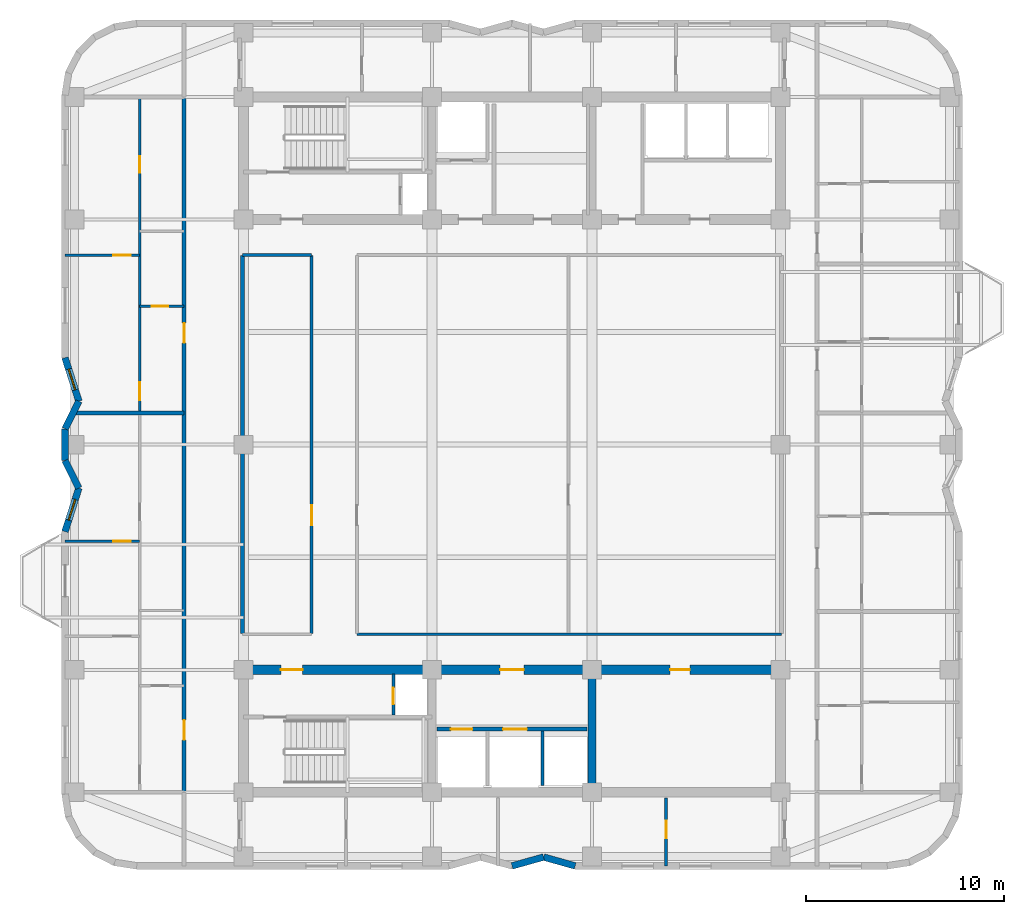
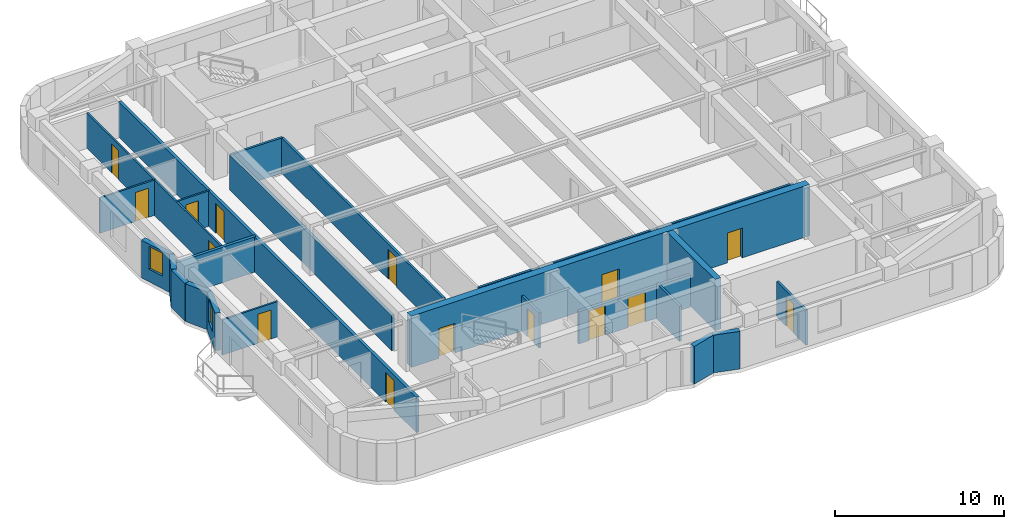
# One storey, part 3 of 9: 23 walls, 15 doors, 2 windows, 17 openings.
"""IFC4 building model written with IfcOpenShell, lengths in metres."""

import ifcopenshell
import ifcopenshell.guid

model = None  # the IFC model being written
_history = None  # IfcOwnerHistory: only IFC2X3 demands one
_inside = {}  # id of a spatial element -> (the spatial element, [elements in it])
_under = {}  # id of a project, library or spatial element -> (it, [spatial elements below it])
_declared = {}  # id of a project -> (the project, [libraries it declares])
_typed = {}  # id of a type object -> (the type object, [elements of that type])
_made_of = {}  # id of a material, layer set ... -> (it, [elements and type objects made of it])


def new_model(schema):
    """Start an empty IFC model of exactly this schema.

    Asked for "IFC4X3", IfcOpenShell would pick the latest addendum, in which some entities
    have other attributes; the version numbers below select the first issue.
    IFC2X3 requires an IfcOwnerHistory on every rooted entity: one is made here for all.
    """
    global model, _history
    if schema == "IFC4X3":
        model = ifcopenshell.file(schema_version=(4, 3, 0, 0))
    else:
        model = ifcopenshell.file(schema=schema)
    _inside.clear()
    _under.clear()
    _declared.clear()
    _typed.clear()
    _made_of.clear()
    _history = None
    if model.schema == "IFC2X3":
        org = make("IfcOrganization", Name="unknown")
        user = make(
            "IfcPersonAndOrganization",
            ThePerson=make("IfcPerson", FamilyName="unknown"),
            TheOrganization=org,
        )
        app = make(
            "IfcApplication",
            ApplicationDeveloper=org,
            Version="unknown",
            ApplicationFullName="unknown",
            ApplicationIdentifier="unknown",
        )
        _history = make(
            "IfcOwnerHistory",
            OwningUser=user,
            OwningApplication=app,
            ChangeAction="ADDED",
            CreationDate=0,
        )
    return model


def make(cls, **values):
    """One entity of the class cls with the attributes given. An attribute that is None is left unset."""
    return model.create_entity(
        cls, **{name: value for name, value in values.items() if value is not None}
    )


def rooted(cls, **values):
    """An entity with a GlobalId (a new one), such as an element, a storey or a relation."""
    return make(cls, GlobalId=ifcopenshell.guid.new(), OwnerHistory=_history, **values)


def si_unit(unit_type, name, prefix=None):
    """IfcSIUnit, for example si_unit("LENGTHUNIT", "METRE", prefix="MILLI")."""
    return make("IfcSIUnit", UnitType=unit_type, Prefix=prefix, Name=name)


def assignment(units):
    """IfcUnitAssignment: the units of a project."""
    return None if units is None else make("IfcUnitAssignment", Units=units)


def point(xyz):
    """IfcCartesianPoint."""
    return None if xyz is None else make("IfcCartesianPoint", Coordinates=xyz)


def direction(xyz):
    """IfcDirection."""
    return None if xyz is None else make("IfcDirection", DirectionRatios=xyz)


def frame(location, z_axis=None, x_axis=None):
    """IfcAxis2Placement3D, a coordinate frame: its origin and axes. An axis left out is left unset."""
    return make(
        "IfcAxis2Placement3D",
        Location=point(location),
        Axis=direction(z_axis),
        RefDirection=direction(x_axis),
    )


def frame_2d(location, x_axis=None):
    """IfcAxis2Placement2D, a coordinate frame in the plane: its origin and x axis."""
    return make(
        "IfcAxis2Placement2D", Location=point(location), RefDirection=direction(x_axis)
    )


def origin():
    """The frame at (0, 0, 0) with its axes left unset."""
    return frame((0.0, 0.0, 0.0))


def place(relative_to, where):
    """IfcLocalPlacement: puts the frame where relative to a parent placement (None: the world)."""
    return make(
        "IfcLocalPlacement", PlacementRelTo=relative_to, RelativePlacement=where
    )


def context(
    kind, dimensions, precision=None, world=None, true_north=None, identifier=None
):
    """IfcGeometricRepresentationContext, for example the 3D "Model" context."""
    return make(
        "IfcGeometricRepresentationContext",
        ContextIdentifier=identifier,
        ContextType=kind,
        CoordinateSpaceDimension=dimensions,
        Precision=precision,
        WorldCoordinateSystem=world,
        TrueNorth=true_north,
    )


def subcontext(parent, identifier, kind, view, scale=None):
    """IfcGeometricRepresentationSubContext, for example "Body" below "Model"."""
    return make(
        "IfcGeometricRepresentationSubContext",
        ContextIdentifier=identifier,
        ContextType=kind,
        ParentContext=parent,
        TargetScale=scale,
        TargetView=view,
    )


def project(units=None, contexts=None):
    """IfcProject with its units and contexts."""
    return rooted(
        "IfcProject",
        Name="project",
        RepresentationContexts=contexts,
        UnitsInContext=assignment(units),
    )


def spatial(cls, under=None, at=None, **own):
    """A site, building, storey or space (cls), placed at a placement, below another one or the project."""
    s = rooted(cls, ObjectPlacement=at, **own)
    if under is not None:
        _under.setdefault(under.id(), (under, []))[1].append(s)
    return s


def profile(cls, at=None, kind="AREA", **sizes):
    """A parametric profile (cls). Its sizes go by their IFC names, for example OverallWidth=200.0."""
    return make(cls, ProfileType=kind, Position=at, **sizes)


def rectangle(**sizes):
    """IfcRectangleProfileDef."""
    return profile("IfcRectangleProfileDef", **sizes)


def extrude(swept, where, along, depth):
    """IfcExtrudedAreaSolid: the profile swept, set in the frame where, extruded along a direction by depth."""
    return make(
        "IfcExtrudedAreaSolid",
        SweptArea=swept,
        Position=where,
        ExtrudedDirection=direction(along),
        Depth=depth,
    )


def shape(context_of_items, identifier, shape_type, items):
    """IfcShapeRepresentation: the items that make up one representation, for example the "Body"."""
    return make(
        "IfcShapeRepresentation",
        ContextOfItems=context_of_items,
        RepresentationIdentifier=identifier,
        RepresentationType=shape_type,
        Items=items,
    )


def material(Name=None, Category=None):
    """IfcMaterial."""
    return make("IfcMaterial", Name=Name, Category=Category)


def layer(
    of_material, thickness, ventilated=None, Name=None, Category=None, Priority=None
):
    """IfcMaterialLayer: one layer of a wall or slab, of a material (None: an air gap)."""
    return make(
        "IfcMaterialLayer",
        Material=of_material,
        LayerThickness=thickness,
        IsVentilated=ventilated,
        Name=Name,
        Category=Category,
        Priority=Priority,
    )


def layer_set(layers, Name=None):
    """IfcMaterialLayerSet."""
    return make("IfcMaterialLayerSet", MaterialLayers=layers, LayerSetName=Name)


def made_of(thing, what):
    """Note that an element or type object is made of a material, layer set ...; save() writes the relation."""
    if what is not None:
        _made_of.setdefault(what.id(), (what, []))[1].append(thing)
    return thing


def type_object(cls, material=None, **own):
    """A type object (cls), such as IfcWallType, which elements share."""
    return made_of(rooted(cls, **own), material)


def element(
    cls,
    number,
    at=None,
    inside=None,
    cuts=None,
    type_object=None,
    material=None,
    context=None,
    identifier="Body",
    shape_type=None,
    held_by="IfcProductDefinitionShape",
    body=None,
    shapes=None,
    **own,
):
    """One element of the class cls, such as IfcWall. Its Tag is "e" and its number.

    at: its placement. inside: the storey or other place that contains it. cuts: it is an
    opening in that element (IfcRelVoidsElement). A single representation is given by context,
    identifier, shape_type and body (its items); several are given by shapes. held_by: the class
    of the entity that holds the representations. save() writes the other relations.
    """
    e = rooted(cls, Tag="e%d" % number, ObjectPlacement=at, **own)
    if body is not None:
        shapes = [shape(context, identifier, shape_type, body)]
    if shapes is not None:
        e.Representation = make(held_by, Representations=shapes)
    if inside is not None:
        _inside.setdefault(inside.id(), (inside, []))[1].append(e)
    if cuts is not None:
        rooted(
            "IfcRelVoidsElement", RelatingBuildingElement=cuts, RelatedOpeningElement=e
        )
    if type_object is not None:
        _typed.setdefault(type_object.id(), (type_object, []))[1].append(e)
    return made_of(e, material)


def fill(opening, filler):
    """IfcRelFillsElement: the door or window that sits in an opening."""
    return rooted(
        "IfcRelFillsElement",
        RelatingOpeningElement=opening,
        RelatedBuildingElement=filler,
    )


def aggregate(whole, parts):
    """IfcRelAggregates: a whole, such as a stair, and the parts it consists of."""
    return rooted("IfcRelAggregates", RelatingObject=whole, RelatedObjects=parts)


def save(model, path):
    """Write the relations noted so far, then the file.

    IfcRelAggregates (storeys below a building ...), IfcRelContainedInSpatialStructure (elements
    in a storey), IfcRelDefinesByType, IfcRelAssociatesMaterial and IfcRelDeclares: one each for
    every whole, place, type object, material and project.
    """
    for whole, parts in _under.values():
        aggregate(whole, parts)
    for where, things in _inside.values():
        rooted(
            "IfcRelContainedInSpatialStructure",
            RelatedElements=things,
            RelatingStructure=where,
        )
    for kind, things in _typed.values():
        rooted("IfcRelDefinesByType", RelatedObjects=things, RelatingType=kind)
    for what, things in _made_of.values():
        rooted("IfcRelAssociatesMaterial", RelatedObjects=things, RelatingMaterial=what)
    for by, libraries in _declared.values():
        rooted("IfcRelDeclares", RelatingContext=by, RelatedDefinitions=libraries)
    model.write(path)


model = new_model("IFC4")

# Units and contexts
model_context = context("Model", 3, precision=1e-05, world=origin(), true_north=direction((0.0, 1.0)))
body_context = subcontext(model_context, "Body", "Model", "MODEL_VIEW")
ifc_project = project(units=[si_unit("LENGTHUNIT", "METRE"), si_unit("AREAUNIT", "SQUARE_METRE"), si_unit("VOLUMEUNIT", "CUBIC_METRE"), si_unit("PLANEANGLEUNIT", "RADIAN"), si_unit("MASSUNIT", "GRAM", prefix="KILO")], contexts=[model_context])

# Site, building, storey
site_placement = place(None, origin())
site = spatial("IfcSite", under=ifc_project, at=site_placement, CompositionType="ELEMENT")
building_placement = place(site_placement, origin())
building = spatial("IfcBuilding", under=site, at=building_placement, Name="Svetorya Sky Lyceum", CompositionType="ELEMENT")
storey_placement = place(building_placement, frame((0.0, 0.0, 184.800048828125)))
storey = spatial("IfcBuildingStorey", under=building, at=storey_placement, Name="L46", CompositionType="ELEMENT", Elevation=184.800048828125)

# Wall
ifc_material_1 = material(Name="Concrete C40/50", Category="concrete")
ifc_layer_1 = layer(ifc_material_1, 0.39990234375)
ifc_layer_set_1 = layer_set([ifc_layer_1], Name="Concrete C40/50")
wall_type_1 = type_object("IfcWallType", Name="WL-CORE-400", PredefinedType="SHEAR", material=ifc_layer_set_1)
wall_1_placement = place(storey_placement, frame((43.25, 10.85009765625, 0.0), z_axis=(0.0, 0.0, 1.0), x_axis=(0.0, 1.0, 0.0)))
element("IfcWall", 1, at=wall_1_placement, inside=storey, type_object=wall_type_1, Name="L46 SC Internal Shear Web WEB2", PredefinedType="SHEAR", context=body_context, shape_type="SweptSolid", body=[
    extrude(rectangle(XDim=5.699951171875, YDim=0.39990234375, at=frame_2d((2.85009765625, 0.0))), origin(), (0.0, 0.0, 1.0), 3.699951171875),
])

# Wall, openings, doors
ifc_material_2 = material(Name="Concrete C50/60", Category="concrete")
ifc_layer_2 = layer(ifc_material_2, 0.5)
ifc_layer_set_2 = layer_set([ifc_layer_2], Name="Concrete C50/60")
wall_type_2 = type_object("IfcWallType", Name="WL-CORE-500", PredefinedType="SHEAR", material=ifc_layer_set_2)
wall_2_placement = place(storey_placement, frame((25.60009765625, 16.800048828125, 0.0), z_axis=(0.0, 0.0, 1.0), x_axis=(1.0, 0.0, 0.0)))
wall_2 = element("IfcWall", 2, at=wall_2_placement, inside=storey, type_object=wall_type_2, Name="L46 SC Inner Core Shear Wall", PredefinedType="SHEAR", context=body_context, shape_type="SweptSolid", body=[
    extrude(rectangle(XDim=27.199951171875, YDim=0.5, at=frame_2d((13.60009765625, 0.0))), origin(), (0.0, 0.0, 1.0), 3.699951171875),
])
opening_1_placement = place(wall_2_placement, frame((1.89990234375, 0.0, 0.0)))
opening_1 = element("IfcOpeningElement", 3, at=opening_1_placement, cuts=wall_2, Name="Opening D-ST1", PredefinedType="OPENING", context=body_context, shape_type="SweptSolid", body=[
    extrude(rectangle(XDim=1.10009765625, YDim=2.14990234375, at=frame_2d((0.550048828125, 1.074951171875))), frame((0.0, 0.260009765625, 0.0), z_axis=(0.0, -1.0, 0.0), x_axis=(1.0, 0.0, 0.0)), (0.0, 0.0, 1.0), 0.52001953125),
])
opening_2_placement = place(wall_2_placement, frame((13.0, 0.0, 0.0)))
opening_2 = element("IfcOpeningElement", 4, at=opening_2_placement, cuts=wall_2, Name="Opening D-FL1", PredefinedType="OPENING", context=body_context, shape_type="SweptSolid", body=[
    extrude(rectangle(XDim=1.199951171875, YDim=2.14990234375, at=frame_2d((0.60009765625, 1.074951171875))), frame((0.0, 0.260009765625, 0.0), z_axis=(0.0, -1.0, 0.0), x_axis=(1.0, 0.0, 0.0)), (0.0, 0.0, 1.0), 0.52001953125),
])
opening_3_placement = place(wall_2_placement, frame((21.60009765625, 0.0, 0.0)))
opening_3 = element("IfcOpeningElement", 5, at=opening_3_placement, cuts=wall_2, Name="Opening D-RM2", PredefinedType="OPENING", context=body_context, shape_type="SweptSolid", body=[
    extrude(rectangle(XDim=1.0, YDim=2.14990234375, at=frame_2d((0.5, 1.074951171875))), frame((0.0, 0.260009765625, 0.0), z_axis=(0.0, -1.0, 0.0), x_axis=(1.0, 0.0, 0.0)), (0.0, 0.0, 1.0), 0.52001953125),
])
ifc_material_3 = material(Name="Powder-coated insulated galvanized stair fire door")
door_type_1 = type_object("IfcDoorType", Name="DR-FIRE-1100", OperationType="SINGLE_SWING_LEFT", PredefinedType="DOOR", material=ifc_material_3)
door_1_placement = place(opening_1_placement, origin())
door_1 = element("IfcDoor", 6, at=door_1_placement, inside=storey, type_object=door_type_1, Name="L46 South Stair Airlock Door", OperationType="SINGLE_SWING_RIGHT", OverallHeight=2.14990234375, OverallWidth=1.10009765625, PredefinedType="DOOR", context=body_context, shape_type="SweptSolid", body=[
    extrude(rectangle(XDim=1.10009765625, YDim=2.14990234375, at=frame_2d((0.550048828125, 1.074951171875))), frame((0.0, 0.02490234375, 0.0), z_axis=(0.0, -1.0, 0.0), x_axis=(1.0, 0.0, 0.0)), (0.0, 0.0, 1.0), 0.050048828125),
])
fill(opening_1, door_1)
ifc_material_4 = material(Name="Powder-coated insulated galvanized fire door")
door_type_2 = type_object("IfcDoorType", Name="DR-FIRE-1200", OperationType="SINGLE_SWING_LEFT", PredefinedType="DOOR", material=ifc_material_4)
door_2_placement = place(opening_2_placement, origin())
door_2 = element("IfcDoor", 7, at=door_2_placement, inside=storey, type_object=door_type_2, Name="L46 South Firefighting Lift Lobby Door", OperationType="SINGLE_SWING_LEFT", OverallHeight=2.14990234375, OverallWidth=1.199951171875, PredefinedType="DOOR", context=body_context, shape_type="SweptSolid", body=[
    extrude(rectangle(XDim=1.199951171875, YDim=2.14990234375, at=frame_2d((0.60009765625, 1.074951171875))), frame((0.0, 0.02490234375, 0.0), z_axis=(0.0, -1.0, 0.0), x_axis=(1.0, 0.0, 0.0)), (0.0, 0.0, 1.0), 0.050048828125),
])
fill(opening_2, door_2)
ifc_material_5 = material(Name="Solid-core oak acoustic room door")
door_type_3 = type_object("IfcDoorType", Name="DR-INT-1000", OperationType="SINGLE_SWING_LEFT", PredefinedType="DOOR", material=ifc_material_5)
door_3_placement = place(opening_3_placement, origin())
door_3 = element("IfcDoor", 8, at=door_3_placement, inside=storey, type_object=door_type_3, Name="L46 Trunk Store Door", OperationType="SINGLE_SWING_LEFT", OverallHeight=2.14990234375, OverallWidth=1.0, PredefinedType="DOOR", context=body_context, shape_type="SweptSolid", body=[
    extrude(rectangle(XDim=1.0, YDim=2.14990234375, at=frame_2d((0.5, 1.074951171875))), frame((0.0, 0.02490234375, 0.0), z_axis=(0.0, -1.0, 0.0), x_axis=(1.0, 0.0, 0.0)), (0.0, 0.0, 1.0), 0.050048828125),
])
fill(opening_3, door_3)

# Walls
ifc_material_6 = material(Name="Putilovo limestone rainscreen on autoclaved cellular masonry", Category="masonry")
ifc_layer_3 = layer(ifc_material_6, 0.340087890625)
ifc_layer_set_3 = layer_set([ifc_layer_3], Name="Putilovo limestone rainscreen on autoclaved cellular masonry")
wall_type_3 = type_object("IfcWallType", Name="WL-EXT-340", PredefinedType="SOLIDWALL", material=ifc_layer_set_3)
wall_3_placement = place(storey_placement, frame((39.199951171875, 6.8701171875, 0.0), z_axis=(0.0, 0.0, 1.0), x_axis=(0.962662902433, 0.270703040766, 0.0)))
element("IfcWall", 9, at=wall_3_placement, inside=storey, type_object=wall_type_3, Name="L46 Limestone Exterior Wall 9M", PredefinedType="SOLIDWALL", context=body_context, shape_type="SweptSolid", body=[
    extrude(rectangle(XDim=1.662109375, YDim=0.340087890625, at=frame_2d((0.8310546875, 0.0))), origin(), (0.0, 0.0, 1.0), 2.719970703125),
])
wall_4_placement = place(storey_placement, frame((40.800048828125, 7.320068359375, 0.0), z_axis=(0.0, 0.0, 1.0), x_axis=(0.962652136636, -0.270741322725, 0.0)))
element("IfcWall", 10, at=wall_4_placement, inside=storey, type_object=wall_type_3, Name="L46 Limestone Exterior Wall 10M", PredefinedType="SOLIDWALL", context=body_context, shape_type="SweptSolid", body=[
    extrude(rectangle(XDim=1.661865234375, YDim=0.340087890625, at=frame_2d((0.8310546875, 0.0))), origin(), (0.0, 0.0, 1.0), 2.719970703125),
])

# Wall, opening, window
wall_5_placement = place(storey_placement, frame((16.570068359375, 32.60009765625, 0.0), z_axis=(0.0, 0.0, 1.0), x_axis=(0.303160011437, -0.952939666225, 0.0)))
wall_5 = element("IfcWall", 11, at=wall_5_placement, inside=storey, type_object=wall_type_3, Name="L46 Limestone Exterior Wall 41M", PredefinedType="SOLIDWALL", context=body_context, shape_type="SweptSolid", body=[
    extrude(rectangle(XDim=2.308837890625, YDim=0.340087890625, at=frame_2d((1.154296875, 0.0))), origin(), (0.0, 0.0, 1.0), 2.719970703125),
])
opening_4_placement = place(wall_5_placement, frame((0.604248046875, 0.0, 0.909912109375)))
opening_4 = element("IfcOpeningElement", 12, at=opening_4_placement, cuts=wall_5, Name="Opening W-R3", PredefinedType="OPENING", context=body_context, shape_type="SweptSolid", body=[
    extrude(rectangle(XDim=1.10009765625, YDim=1.64990234375, at=frame_2d((0.550048828125, 0.824951171875))), frame((0.0, 0.179931640625, 0.0), z_axis=(0.0, -1.0, 0.0), x_axis=(1.0, 0.0, 0.0)), (0.0, 0.0, 1.0), 0.360107421875),
])
ifc_material_7 = material(Name="Thermally broken aluminium frame with triple low-E glazing", Category="aluminium")
window_type = type_object("IfcWindowType", Name="WN-RES-110", PartitioningType="SINGLE_PANEL", PredefinedType="WINDOW", material=ifc_material_7)
window_1_placement = place(opening_4_placement, origin())
window_1 = element("IfcWindow", 13, at=window_1_placement, inside=storey, type_object=window_type, Name="L46 Facade Window W-R3.41M.1", OverallHeight=1.64990234375, OverallWidth=1.10009765625, PartitioningType="SINGLE_PANEL", PredefinedType="WINDOW", context=body_context, shape_type="SweptSolid", body=[
    extrude(rectangle(XDim=1.10009765625, YDim=1.64990234375, at=frame_2d((0.550048828125, 0.824951171875))), frame((0.0, 0.030029296875, 0.0), z_axis=(0.0, -1.0, 0.0), x_axis=(1.0, 0.0, 0.0)), (0.0, 0.0, 1.0), 0.06005859375),
])
fill(opening_4, window_1)

# Walls
wall_6_placement = place(storey_placement, frame((17.27001953125, 30.39990234375, 0.0), z_axis=(0.0, 0.0, 1.0), x_axis=(-0.4472135955, -0.894427191, 0.0)))
element("IfcWall", 14, at=wall_6_placement, inside=storey, type_object=wall_type_3, Name="L46 Limestone Exterior Wall 42M", PredefinedType="SOLIDWALL", context=body_context, shape_type="SweptSolid", body=[
    extrude(rectangle(XDim=1.565185546875, YDim=0.340087890625, at=frame_2d((0.78271484375, 0.0))), origin(), (0.0, 0.0, 1.0), 2.719970703125),
])
wall_7_placement = place(storey_placement, frame((16.570068359375, 29.0, 0.0), z_axis=(0.0, 0.0, 1.0), x_axis=(0.0, -1.0, 0.0)))
element("IfcWall", 15, at=wall_7_placement, inside=storey, type_object=wall_type_3, Name="L46 Limestone Exterior Wall 43M", PredefinedType="SOLIDWALL", context=body_context, shape_type="SweptSolid", body=[
    extrude(rectangle(XDim=1.60009765625, YDim=0.340087890625, at=frame_2d((0.800048828125, 0.0))), origin(), (0.0, 0.0, 1.0), 2.719970703125),
])
wall_8_placement = place(storey_placement, frame((16.570068359375, 27.39990234375, 0.0), z_axis=(0.0, 0.0, 1.0), x_axis=(0.4472135955, -0.894427191, 0.0)))
element("IfcWall", 16, at=wall_8_placement, inside=storey, type_object=wall_type_3, Name="L46 Limestone Exterior Wall 44M", PredefinedType="SOLIDWALL", context=body_context, shape_type="SweptSolid", body=[
    extrude(rectangle(XDim=1.565185546875, YDim=0.340087890625, at=frame_2d((0.78271484375, 0.0))), origin(), (0.0, 0.0, 1.0), 2.719970703125),
])

# Wall, opening, window
wall_9_placement = place(storey_placement, frame((17.27001953125, 26.0, 0.0), z_axis=(0.0, 0.0, 1.0), x_axis=(-0.303190562272, -0.952929946507, 0.0)))
wall_9 = element("IfcWall", 17, at=wall_9_placement, inside=storey, type_object=wall_type_3, Name="L46 Limestone Exterior Wall 45M", PredefinedType="SOLIDWALL", context=body_context, shape_type="SweptSolid", body=[
    extrude(rectangle(XDim=2.30859375, YDim=0.340087890625, at=frame_2d((1.154296875, 0.0))), origin(), (0.0, 0.0, 1.0), 2.719970703125),
])
opening_5_placement = place(wall_9_placement, frame((0.604248046875, 0.0, 0.909912109375)))
opening_5 = element("IfcOpeningElement", 18, at=opening_5_placement, cuts=wall_9, Name="Opening W-R3", PredefinedType="OPENING", context=body_context, shape_type="SweptSolid", body=[
    extrude(rectangle(XDim=1.10009765625, YDim=1.64990234375, at=frame_2d((0.550048828125, 0.824951171875))), frame((0.0, 0.179931640625, 0.0), z_axis=(0.0, -1.0, 0.0), x_axis=(1.0, 0.0, 0.0)), (0.0, 0.0, 1.0), 0.360107421875),
])
window_2_placement = place(opening_5_placement, origin())
window_2 = element("IfcWindow", 19, at=window_2_placement, inside=storey, type_object=window_type, Name="L46 Facade Window W-R3.45M.1", OverallHeight=1.64990234375, OverallWidth=1.10009765625, PartitioningType="SINGLE_PANEL", PredefinedType="WINDOW", context=body_context, shape_type="SweptSolid", body=[
    extrude(rectangle(XDim=1.10009765625, YDim=1.64990234375, at=frame_2d((0.550048828125, 0.824951171875))), frame((0.0, 0.030029296875, 0.0), z_axis=(0.0, -1.0, 0.0), x_axis=(1.0, 0.0, 0.0)), (0.0, 0.0, 1.0), 0.06005859375),
])
fill(opening_5, window_2)

# Wall, opening, door
ifc_material_8 = material(Name="Twin-stud galvanized framing with double fireboard", Category="gypsum")
ifc_layer_4 = layer(ifc_material_8, 0.1201171875)
ifc_layer_set_4 = layer_set([ifc_layer_4], Name="Twin-stud galvanized framing with double fireboard")
wall_type_4 = type_object("IfcWallType", Name="WL-PART-120", PredefinedType="PARTITIONING", material=ifc_layer_set_4)
wall_10_placement = place(storey_placement, frame((16.570068359375, 23.300048828125, 0.0), z_axis=(0.0, 0.0, 1.0), x_axis=(1.0, 0.0, 0.0)))
wall_10 = element("IfcWall", 20, at=wall_10_placement, inside=storey, type_object=wall_type_4, Name="L46 Interior Partition W1-WL2", PredefinedType="PARTITIONING", context=body_context, shape_type="SweptSolid", body=[
    extrude(rectangle(XDim=3.780029296875, YDim=0.1201171875, at=frame_2d((1.89013671875, 0.0))), origin(), (0.0, 0.0, 1.0), 2.550048828125),
])
opening_6_placement = place(wall_10_placement, frame((2.429931640625, 0.0, 0.0)))
opening_6 = element("IfcOpeningElement", 21, at=opening_6_placement, cuts=wall_10, Name="Opening D-RM1", PredefinedType="OPENING", context=body_context, shape_type="SweptSolid", body=[
    extrude(rectangle(XDim=0.89990234375, YDim=2.10009765625, at=frame_2d((0.449951171875, 1.050048828125))), frame((0.0, 0.070068359375, 0.0), z_axis=(0.0, -1.0, 0.0), x_axis=(1.0, 0.0, 0.0)), (0.0, 0.0, 1.0), 0.14013671875),
])
ifc_material_9 = material(Name="Lacquered birch veneer internal door")
door_type_4 = type_object("IfcDoorType", Name="DR-INT-900", OperationType="SINGLE_SWING_LEFT", PredefinedType="DOOR", material=ifc_material_9)
door_4_placement = place(opening_6_placement, origin())
door_4 = element("IfcDoor", 22, at=door_4_placement, inside=storey, type_object=door_type_4, Name="Apartment W1 Bedroom 2 Door", OperationType="SINGLE_SWING_RIGHT", OverallHeight=2.10009765625, OverallWidth=0.89990234375, PredefinedType="DOOR", context=body_context, shape_type="SweptSolid", body=[
    extrude(rectangle(XDim=0.89990234375, YDim=2.10009765625, at=frame_2d((0.449951171875, 1.050048828125))), frame((0.0, 0.02490234375, 0.0), z_axis=(0.0, -1.0, 0.0), x_axis=(1.0, 0.0, 0.0)), (0.0, 0.0, 1.0), 0.050048828125),
])
fill(opening_6, door_4)

wall_11_placement = place(storey_placement, frame((20.35009765625, 35.199951171875, 0.0), z_axis=(0.0, 0.0, 1.0), x_axis=(1.0, 0.0, 0.0)))
wall_11 = element("IfcWall", 23, at=wall_11_placement, inside=storey, type_object=wall_type_4, Name="L46 Interior Partition W2-WH1", PredefinedType="PARTITIONING", context=body_context, shape_type="SweptSolid", body=[
    extrude(rectangle(XDim=2.25, YDim=0.1201171875, at=frame_2d((1.125, 0.0))), origin(), (0.0, 0.0, 1.0), 2.550048828125),
])
opening_7_placement = place(wall_11_placement, frame((0.60009765625, 0.0, 0.0)))
opening_7 = element("IfcOpeningElement", 24, at=opening_7_placement, cuts=wall_11, Name="Opening D-BT1", PredefinedType="OPENING", context=body_context, shape_type="SweptSolid", body=[
    extrude(rectangle(XDim=0.85009765625, YDim=2.10009765625, at=frame_2d((0.425048828125, 1.050048828125))), frame((0.0, 0.070068359375, 0.0), z_axis=(0.0, -1.0, 0.0), x_axis=(1.0, 0.0, 0.0)), (0.0, 0.0, 1.0), 0.14013671875),
])
ifc_material_10 = material(Name="Moisture-resistant laminate bathroom door")
door_type_5 = type_object("IfcDoorType", Name="DR-WET-850", OperationType="SINGLE_SWING_LEFT", PredefinedType="DOOR", material=ifc_material_10)
door_5_placement = place(opening_7_placement, origin())
door_5 = element("IfcDoor", 25, at=door_5_placement, inside=storey, type_object=door_type_5, Name="Apartment W2 Bathroom Door", OperationType="SINGLE_SWING_RIGHT", OverallHeight=2.10009765625, OverallWidth=0.85009765625, PredefinedType="DOOR", context=body_context, shape_type="SweptSolid", body=[
    extrude(rectangle(XDim=0.85009765625, YDim=2.10009765625, at=frame_2d((0.425048828125, 1.050048828125))), frame((0.0, 0.02490234375, 0.0), z_axis=(0.0, -1.0, 0.0), x_axis=(1.0, 0.0, 0.0)), (0.0, 0.0, 1.0), 0.050048828125),
])
fill(opening_7, door_5)

wall_12_placement = place(storey_placement, frame((16.570068359375, 37.7900390625, 0.0), z_axis=(0.0, 0.0, 1.0), x_axis=(1.0, 0.0, 0.0)))
wall_12 = element("IfcWall", 26, at=wall_12_placement, inside=storey, type_object=wall_type_4, Name="L46 Interior Partition W2-WL1", PredefinedType="PARTITIONING", context=body_context, shape_type="SweptSolid", body=[
    extrude(rectangle(XDim=3.780029296875, YDim=0.1201171875, at=frame_2d((1.89013671875, 0.0))), origin(), (0.0, 0.0, 1.0), 2.550048828125),
])
opening_8_placement = place(wall_12_placement, frame((2.429931640625, 0.0, 0.0)))
opening_8 = element("IfcOpeningElement", 27, at=opening_8_placement, cuts=wall_12, Name="Opening D-RM1", PredefinedType="OPENING", context=body_context, shape_type="SweptSolid", body=[
    extrude(rectangle(XDim=0.89990234375, YDim=2.10009765625, at=frame_2d((0.449951171875, 1.050048828125))), frame((0.0, 0.070068359375, 0.0), z_axis=(0.0, -1.0, 0.0), x_axis=(1.0, 0.0, 0.0)), (0.0, 0.0, 1.0), 0.14013671875),
])
door_6_placement = place(opening_8_placement, origin())
door_6 = element("IfcDoor", 28, at=door_6_placement, inside=storey, type_object=door_type_4, Name="Apartment W2 Bedroom 1 Door", OperationType="SINGLE_SWING_RIGHT", OverallHeight=2.10009765625, OverallWidth=0.89990234375, PredefinedType="DOOR", context=body_context, shape_type="SweptSolid", body=[
    extrude(rectangle(XDim=0.89990234375, YDim=2.10009765625, at=frame_2d((0.449951171875, 1.050048828125))), frame((0.0, 0.02490234375, 0.0), z_axis=(0.0, -1.0, 0.0), x_axis=(1.0, 0.0, 0.0)), (0.0, 0.0, 1.0), 0.050048828125),
])
fill(opening_8, door_6)

# Wall, openings, doors
wall_13_placement = place(storey_placement, frame((20.35009765625, 29.840087890625, 0.0), z_axis=(0.0, 0.0, 1.0), x_axis=(0.0, 1.0, 0.0)))
wall_13 = element("IfcWall", 29, at=wall_13_placement, inside=storey, type_object=wall_type_4, Name="L46 Interior Partition W2-WV", PredefinedType="PARTITIONING", context=body_context, shape_type="SweptSolid", body=[
    extrude(rectangle(XDim=15.919921875, YDim=0.1201171875, at=frame_2d((7.9599609375, 0.0))), origin(), (0.0, 0.0, 1.0), 2.550048828125),
])
opening_9_placement = place(wall_13_placement, frame((0.610107421875, 0.0, 0.0)))
opening_9 = element("IfcOpeningElement", 30, at=opening_9_placement, cuts=wall_13, Name="Opening D-RM1", PredefinedType="OPENING", context=body_context, shape_type="SweptSolid", body=[
    extrude(rectangle(XDim=0.89990234375, YDim=2.10009765625, at=frame_2d((0.449951171875, 1.050048828125))), frame((0.0, 0.070068359375, 0.0), z_axis=(0.0, -1.0, 0.0), x_axis=(1.0, 0.0, 0.0)), (0.0, 0.0, 1.0), 0.14013671875),
])
opening_10_placement = place(wall_13_placement, frame((12.135009765625, 0.0, 0.0)))
opening_10 = element("IfcOpeningElement", 31, at=opening_10_placement, cuts=wall_13, Name="Opening D-BT2", PredefinedType="OPENING", context=body_context, shape_type="SweptSolid", body=[
    extrude(rectangle(XDim=0.820068359375, YDim=2.080078125, at=frame_2d((0.41015625, 1.0400390625))), frame((0.0, 0.070068359375, 0.0), z_axis=(0.0, -1.0, 0.0), x_axis=(1.0, 0.0, 0.0)), (0.0, 0.0, 1.0), 0.14013671875),
])
door_7_placement = place(opening_9_placement, origin())
door_7 = element("IfcDoor", 32, at=door_7_placement, inside=storey, type_object=door_type_4, Name="Apartment W2 Living Door", OperationType="SINGLE_SWING_LEFT", OverallHeight=2.10009765625, OverallWidth=0.89990234375, PredefinedType="DOOR", context=body_context, shape_type="SweptSolid", body=[
    extrude(rectangle(XDim=0.89990234375, YDim=2.10009765625, at=frame_2d((0.449951171875, 1.050048828125))), frame((0.0, 0.02490234375, 0.0), z_axis=(0.0, -1.0, 0.0), x_axis=(1.0, 0.0, 0.0)), (0.0, 0.0, 1.0), 0.050048828125),
])
fill(opening_9, door_7)
ifc_material_11 = material(Name="Compact moisture-resistant laminate closet door")
door_type_6 = type_object("IfcDoorType", Name="DR-WET-820", OperationType="SINGLE_SWING_LEFT", PredefinedType="DOOR", material=ifc_material_11)
door_8_placement = place(opening_10_placement, origin())
door_8 = element("IfcDoor", 33, at=door_8_placement, inside=storey, type_object=door_type_6, Name="Apartment W2 Study Door", OperationType="SINGLE_SWING_RIGHT", OverallHeight=2.080078125, OverallWidth=0.820068359375, PredefinedType="DOOR", context=body_context, shape_type="SweptSolid", body=[
    extrude(rectangle(XDim=0.820068359375, YDim=2.080078125, at=frame_2d((0.41015625, 1.0400390625))), frame((0.0, 0.02490234375, 0.0), z_axis=(0.0, -1.0, 0.0), x_axis=(1.0, 0.0, 0.0)), (0.0, 0.0, 1.0), 0.050048828125),
])
fill(opening_10, door_8)

# Wall, opening, door
ifc_material_12 = material(Name="Autoclaved cellular masonry blockwork with acoustic render", Category="masonry")
ifc_layer_5 = layer(ifc_material_12, 0.14990234375)
ifc_layer_set_5 = layer_set([ifc_layer_5], Name="Autoclaved cellular masonry blockwork with acoustic render")
wall_type_5 = type_object("IfcWallType", Name="WL-PART-150", PredefinedType="PARTITIONING", material=ifc_layer_set_5)
wall_14_placement = place(storey_placement, frame((33.199951171875, 14.5, 0.0), z_axis=(0.0, 0.0, 1.0), x_axis=(0.0, 1.0, 0.0)))
wall_14 = element("IfcWall", 34, at=wall_14_placement, inside=storey, type_object=wall_type_5, Name="L46 Interior Partition SC-AIRDIV", PredefinedType="PARTITIONING", context=body_context, shape_type="SweptSolid", body=[
    extrude(rectangle(XDim=2.080078125, YDim=0.14990234375, at=frame_2d((1.0400390625, 0.0))), origin(), (0.0, 0.0, 1.0), 2.550048828125),
])
opening_11_placement = place(wall_14_placement, frame((0.550048828125, 0.0, 0.0)))
opening_11 = element("IfcOpeningElement", 35, at=opening_11_placement, cuts=wall_14, Name="Opening D-SH1", PredefinedType="OPENING", context=body_context, shape_type="SweptSolid", body=[
    extrude(rectangle(XDim=0.85009765625, YDim=2.050048828125, at=frame_2d((0.425048828125, 1.02490234375))), frame((0.0, 0.0849609375, 0.0), z_axis=(0.0, -1.0, 0.0), x_axis=(1.0, 0.0, 0.0)), (0.0, 0.0, 1.0), 0.169921875),
])
ifc_material_13 = material(Name="Insulated galvanized riser inspection fire door")
door_type_7 = type_object("IfcDoorType", Name="DR-SHFT-850", OperationType="SINGLE_SWING_LEFT", PredefinedType="TRAPDOOR", material=ifc_material_13)
door_9_placement = place(opening_11_placement, origin())
door_9 = element("IfcDoor", 36, at=door_9_placement, inside=storey, type_object=door_type_7, Name="L46 South Riser Access Door", OperationType="SINGLE_SWING_RIGHT", OverallHeight=2.050048828125, OverallWidth=0.85009765625, PredefinedType="TRAPDOOR", context=body_context, shape_type="SweptSolid", body=[
    extrude(rectangle(XDim=0.85009765625, YDim=2.050048828125, at=frame_2d((0.425048828125, 1.02490234375))), frame((0.0, 0.02490234375, 0.0), z_axis=(0.0, -1.0, 0.0), x_axis=(1.0, 0.0, 0.0)), (0.0, 0.0, 1.0), 0.050048828125),
])
fill(opening_11, door_9)

# Walls
wall_15_placement = place(storey_placement, frame((40.75, 10.949951171875, 0.0), z_axis=(0.0, 0.0, 1.0), x_axis=(0.0, 1.0, 0.0)))
element("IfcWall", 37, at=wall_15_placement, inside=storey, type_object=wall_type_5, Name="L46 Interior Partition SC-SHD2", PredefinedType="PARTITIONING", context=body_context, shape_type="SweptSolid", body=[
    extrude(rectangle(XDim=2.75, YDim=0.14990234375, at=frame_2d((1.375, 0.0))), origin(), (0.0, 0.0, 1.0), 2.550048828125),
])
wall_16_placement = place(storey_placement, frame((31.35009765625, 18.60009765625, 0.0), z_axis=(0.0, 0.0, 1.0), x_axis=(1.0, 0.0, 0.0)))
element("IfcWall", 38, at=wall_16_placement, inside=storey, type_object=wall_type_5, Name="L46 Interior Partition OFF-CS-E", PredefinedType="PARTITIONING", context=body_context, shape_type="SweptSolid", body=[
    extrude(rectangle(XDim=21.5, YDim=0.14990234375, at=frame_2d((10.75, 0.0))), origin(), (0.0, 0.0, 1.0), 2.550048828125),
])
wall_17_placement = place(storey_placement, frame((25.550048828125, 37.800048828125, 0.0), z_axis=(0.0, 0.0, 1.0), x_axis=(1.0, 0.0, 0.0)))
element("IfcWall", 39, at=wall_17_placement, inside=storey, type_object=wall_type_5, Name="L46 Interior Partition OFF-CN-W", PredefinedType="PARTITIONING", context=body_context, shape_type="SweptSolid", body=[
    extrude(rectangle(XDim=3.5, YDim=0.14990234375, at=frame_2d((1.75, 0.0))), origin(), (0.0, 0.0, 1.0), 2.550048828125),
])

# Wall, opening, door
wall_18_placement = place(storey_placement, frame((29.050048828125, 18.6298828125, 0.0), z_axis=(0.0, 0.0, 1.0), x_axis=(0.0, 1.0, 0.0)))
wall_18 = element("IfcWall", 40, at=wall_18_placement, inside=storey, type_object=wall_type_5, Name="L46 Interior Partition OFF-VW", PredefinedType="PARTITIONING", context=body_context, shape_type="SweptSolid", body=[
    extrude(rectangle(XDim=19.14013671875, YDim=0.14990234375, at=frame_2d((9.570068359375, 0.0))), origin(), (0.0, 0.0, 1.0), 2.550048828125),
])
opening_12_placement = place(wall_18_placement, frame((5.5, 0.0, 0.0)))
opening_12 = element("IfcOpeningElement", 41, at=opening_12_placement, cuts=wall_18, Name="Opening D-RM2", PredefinedType="OPENING", context=body_context, shape_type="SweptSolid", body=[
    extrude(rectangle(XDim=1.0, YDim=2.14990234375, at=frame_2d((0.5, 1.074951171875))), frame((0.0, 0.0849609375, 0.0), z_axis=(0.0, -1.0, 0.0), x_axis=(1.0, 0.0, 0.0)), (0.0, 0.0, 1.0), 0.169921875),
])
door_10_placement = place(opening_12_placement, origin())
door_10 = element("IfcDoor", 42, at=door_10_placement, inside=storey, type_object=door_type_3, Name="L46 West Office Door", OperationType="SINGLE_SWING_LEFT", OverallHeight=2.14990234375, OverallWidth=1.0, PredefinedType="DOOR", context=body_context, shape_type="SweptSolid", body=[
    extrude(rectangle(XDim=1.0, YDim=2.14990234375, at=frame_2d((0.5, 1.074951171875))), frame((0.0, 0.02490234375, 0.0), z_axis=(0.0, -1.0, 0.0), x_axis=(1.0, 0.0, 0.0)), (0.0, 0.0, 1.0), 0.050048828125),
])
fill(opening_12, door_10)

wall_19_placement = place(storey_placement, frame((47.0, 6.8701171875, 0.0), z_axis=(0.0, 0.0, 1.0), x_axis=(0.0, 1.0, 0.0)))
wall_19 = element("IfcWall", 43, at=wall_19_placement, inside=storey, type_object=wall_type_5, Name="L46 Interior Partition S4-D3", PredefinedType="PARTITIONING", context=body_context, shape_type="SweptSolid", body=[
    extrude(rectangle(XDim=3.429931640625, YDim=0.14990234375, at=frame_2d((1.71484375, 0.0))), origin(), (0.0, 0.0, 1.0), 2.550048828125),
])
opening_13_placement = place(wall_19_placement, frame((1.39990234375, 0.0, 0.0)))
opening_13 = element("IfcOpeningElement", 44, at=opening_13_placement, cuts=wall_19, Name="Opening D-RM1", PredefinedType="OPENING", context=body_context, shape_type="SweptSolid", body=[
    extrude(rectangle(XDim=0.89990234375, YDim=2.10009765625, at=frame_2d((0.449951171875, 1.050048828125))), frame((0.0, 0.0849609375, 0.0), z_axis=(0.0, -1.0, 0.0), x_axis=(1.0, 0.0, 0.0)), (0.0, 0.0, 1.0), 0.169921875),
])
door_11_placement = place(opening_13_placement, origin())
door_11 = element("IfcDoor", 45, at=door_11_placement, inside=storey, type_object=door_type_4, Name="L46 South Suite Door 3", OperationType="SINGLE_SWING_LEFT", OverallHeight=2.10009765625, OverallWidth=0.89990234375, PredefinedType="DOOR", context=body_context, shape_type="SweptSolid", body=[
    extrude(rectangle(XDim=0.89990234375, YDim=2.10009765625, at=frame_2d((0.449951171875, 1.050048828125))), frame((0.0, 0.02490234375, 0.0), z_axis=(0.0, -1.0, 0.0), x_axis=(1.0, 0.0, 0.0)), (0.0, 0.0, 1.0), 0.050048828125),
])
fill(opening_13, door_11)

# Wall, openings, doors
ifc_material_14 = material(Name="Autoclaved cellular masonry blockwork with gypsum plaster", Category="masonry")
ifc_layer_6 = layer(ifc_material_14, 0.199951171875)
ifc_layer_set_6 = layer_set([ifc_layer_6], Name="Autoclaved cellular masonry blockwork with gypsum plaster")
wall_type_6 = type_object("IfcWallType", Name="WL-PART-200", PredefinedType="PARTITIONING", material=ifc_layer_set_6)
wall_20_placement = place(storey_placement, frame((35.39990234375, 13.800048828125, 0.0), z_axis=(0.0, 0.0, 1.0), x_axis=(1.0, 0.0, 0.0)))
wall_20 = element("IfcWall", 46, at=wall_20_placement, inside=storey, type_object=wall_type_6, Name="L46 Interior Partition SC-FLW", PredefinedType="PARTITIONING", context=body_context, shape_type="SweptSolid", body=[
    extrude(rectangle(XDim=7.60009765625, YDim=0.199951171875, at=frame_2d((3.800048828125, 0.0))), origin(), (0.0, 0.0, 1.0), 2.320068359375),
])
opening_14_placement = place(wall_20_placement, frame((0.699951171875, 0.0, 0.0)))
opening_14 = element("IfcOpeningElement", 47, at=opening_14_placement, cuts=wall_20, Name="Opening LD-FL", PredefinedType="OPENING", context=body_context, shape_type="SweptSolid", body=[
    extrude(rectangle(XDim=1.10009765625, YDim=2.14990234375, at=frame_2d((0.550048828125, 1.074951171875))), frame((0.0, 0.10986328125, 0.0), z_axis=(0.0, -1.0, 0.0), x_axis=(1.0, 0.0, 0.0)), (0.0, 0.0, 1.0), 0.219970703125),
])
opening_15_placement = place(wall_20_placement, frame((3.35009765625, 0.0, 0.0)))
opening_15 = element("IfcOpeningElement", 48, at=opening_15_placement, cuts=wall_20, Name="Opening LD-SV", PredefinedType="OPENING", context=body_context, shape_type="SweptSolid", body=[
    extrude(rectangle(XDim=1.199951171875, YDim=2.14990234375, at=frame_2d((0.60009765625, 1.074951171875))), frame((0.0, 0.10986328125, 0.0), z_axis=(0.0, -1.0, 0.0), x_axis=(1.0, 0.0, 0.0)), (0.0, 0.0, 1.0), 0.219970703125),
])
ifc_material_15 = material(Name="Fire-rated stainless AISI 304 firefighting lift landing door")
door_type_8 = type_object("IfcDoorType", Name="DR-LIFT-1100", OperationType="SLIDING_TO_LEFT", PredefinedType="DOOR", material=ifc_material_15)
door_12_placement = place(opening_14_placement, origin())
door_12 = element("IfcDoor", 49, at=door_12_placement, inside=storey, type_object=door_type_8, Name="L46 Firefighting Lift FL2 Landing Door", OperationType="SLIDING_TO_LEFT", OverallHeight=2.14990234375, OverallWidth=1.10009765625, PredefinedType="DOOR", context=body_context, shape_type="SweptSolid", body=[
    extrude(rectangle(XDim=1.10009765625, YDim=2.14990234375, at=frame_2d((0.550048828125, 1.074951171875))), frame((0.0, 0.02490234375, 0.0), z_axis=(0.0, -1.0, 0.0), x_axis=(1.0, 0.0, 0.0)), (0.0, 0.0, 1.0), 0.050048828125),
])
fill(opening_14, door_12)
ifc_material_16 = material(Name="Brushed stainless AISI 304 telescopic lift landing door")
door_type_9 = type_object("IfcDoorType", Name="DR-LIFT-1200", OperationType="SLIDING_TO_LEFT", PredefinedType="DOOR", material=ifc_material_16)
door_13_placement = place(opening_15_placement, origin())
door_13 = element("IfcDoor", 50, at=door_13_placement, inside=storey, type_object=door_type_9, Name="L46 Service Lift SVL1 Landing Door", OperationType="SLIDING_TO_LEFT", OverallHeight=2.14990234375, OverallWidth=1.199951171875, PredefinedType="DOOR", context=body_context, shape_type="SweptSolid", body=[
    extrude(rectangle(XDim=1.199951171875, YDim=2.14990234375, at=frame_2d((0.60009765625, 1.074951171875))), frame((0.0, 0.02490234375, 0.0), z_axis=(0.0, -1.0, 0.0), x_axis=(1.0, 0.0, 0.0)), (0.0, 0.0, 1.0), 0.050048828125),
])
fill(opening_15, door_13)

# Walls
wall_21_placement = place(storey_placement, frame((25.550048828125, 18.6298828125, 0.0), z_axis=(0.0, 0.0, 1.0), x_axis=(0.0, 1.0, 0.0)))
element("IfcWall", 51, at=wall_21_placement, inside=storey, type_object=wall_type_6, Name="L46 Interior Partition W-CEN-SEP", PredefinedType="PARTITIONING", context=body_context, shape_type="SweptSolid", body=[
    extrude(rectangle(XDim=19.14013671875, YDim=0.199951171875, at=frame_2d((9.570068359375, 0.0))), origin(), (0.0, 0.0, 1.0), 2.550048828125),
])
wall_22_placement = place(storey_placement, frame((16.969970703125, 29.800048828125, 0.0), z_axis=(0.0, 0.0, 1.0), x_axis=(1.0, 0.0, 0.0)))
element("IfcWall", 52, at=wall_22_placement, inside=storey, type_object=wall_type_6, Name="L46 Interior Partition W-PARTY-1", PredefinedType="PARTITIONING", context=body_context, shape_type="SweptSolid", body=[
    extrude(rectangle(XDim=5.630126953125, YDim=0.199951171875, at=frame_2d((2.81494140625, 0.0))), origin(), (0.0, 0.0, 1.0), 2.550048828125),
])

# Wall, openings, doors
wall_23_placement = place(storey_placement, frame((22.60009765625, 10.60009765625, 0.0), z_axis=(0.0, 0.0, 1.0), x_axis=(0.0, 1.0, 0.0)))
wall_23 = element("IfcWall", 53, at=wall_23_placement, inside=storey, type_object=wall_type_6, Name="L46 Interior Partition W-CORRW", PredefinedType="PARTITIONING", context=body_context, shape_type="SweptSolid", body=[
    extrude(rectangle(XDim=35.199951171875, YDim=0.199951171875, at=frame_2d((17.60009765625, 0.0))), origin(), (0.0, 0.0, 1.0), 2.550048828125),
])
opening_16_placement = place(wall_23_placement, frame((2.64990234375, 0.0, 0.0)))
opening_16 = element("IfcOpeningElement", 54, at=opening_16_placement, cuts=wall_23, Name="Opening D-APT1", PredefinedType="OPENING", context=body_context, shape_type="SweptSolid", body=[
    extrude(rectangle(XDim=1.0, YDim=2.14990234375, at=frame_2d((0.5, 1.074951171875))), frame((0.0, 0.10986328125, 0.0), z_axis=(0.0, -1.0, 0.0), x_axis=(1.0, 0.0, 0.0)), (0.0, 0.0, 1.0), 0.219970703125),
])
opening_17_placement = place(wall_23_placement, frame((22.75, 0.0, 0.0)))
opening_17 = element("IfcOpeningElement", 55, at=opening_17_placement, cuts=wall_23, Name="Opening D-APT1", PredefinedType="OPENING", context=body_context, shape_type="SweptSolid", body=[
    extrude(rectangle(XDim=1.0, YDim=2.14990234375, at=frame_2d((0.5, 1.074951171875))), frame((0.0, 0.10986328125, 0.0), z_axis=(0.0, -1.0, 0.0), x_axis=(1.0, 0.0, 0.0)), (0.0, 0.0, 1.0), 0.219970703125),
])
ifc_material_17 = material(Name="Insulated oak-veneered apartment entrance door")
door_type_10 = type_object("IfcDoorType", Name="DR-APT-1000", OperationType="SINGLE_SWING_LEFT", PredefinedType="DOOR", material=ifc_material_17)
door_14_placement = place(opening_16_placement, origin())
door_14 = element("IfcDoor", 56, at=door_14_placement, inside=storey, type_object=door_type_10, Name="L46 Apartment W1 Entrance Door", OperationType="SINGLE_SWING_LEFT", OverallHeight=2.14990234375, OverallWidth=1.0, PredefinedType="DOOR", context=body_context, shape_type="SweptSolid", body=[
    extrude(rectangle(XDim=1.0, YDim=2.14990234375, at=frame_2d((0.5, 1.074951171875))), frame((0.0, 0.02490234375, 0.0), z_axis=(0.0, -1.0, 0.0), x_axis=(1.0, 0.0, 0.0)), (0.0, 0.0, 1.0), 0.050048828125),
])
fill(opening_16, door_14)
door_15_placement = place(opening_17_placement, origin())
door_15 = element("IfcDoor", 57, at=door_15_placement, inside=storey, type_object=door_type_10, Name="L46 Apartment W2 Entrance Door", OperationType="SINGLE_SWING_RIGHT", OverallHeight=2.14990234375, OverallWidth=1.0, PredefinedType="DOOR", context=body_context, shape_type="SweptSolid", body=[
    extrude(rectangle(XDim=1.0, YDim=2.14990234375, at=frame_2d((0.5, 1.074951171875))), frame((0.0, 0.02490234375, 0.0), z_axis=(0.0, -1.0, 0.0), x_axis=(1.0, 0.0, 0.0)), (0.0, 0.0, 1.0), 0.050048828125),
])
fill(opening_17, door_15)

save(model, "model.ifc")
